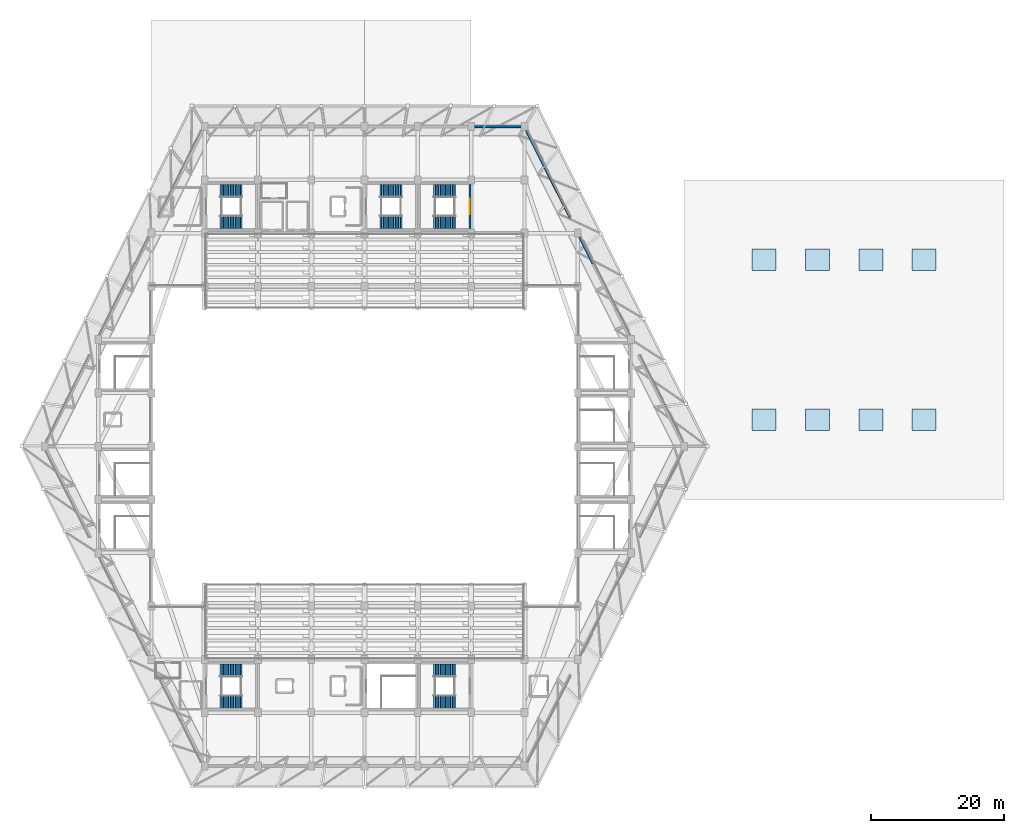
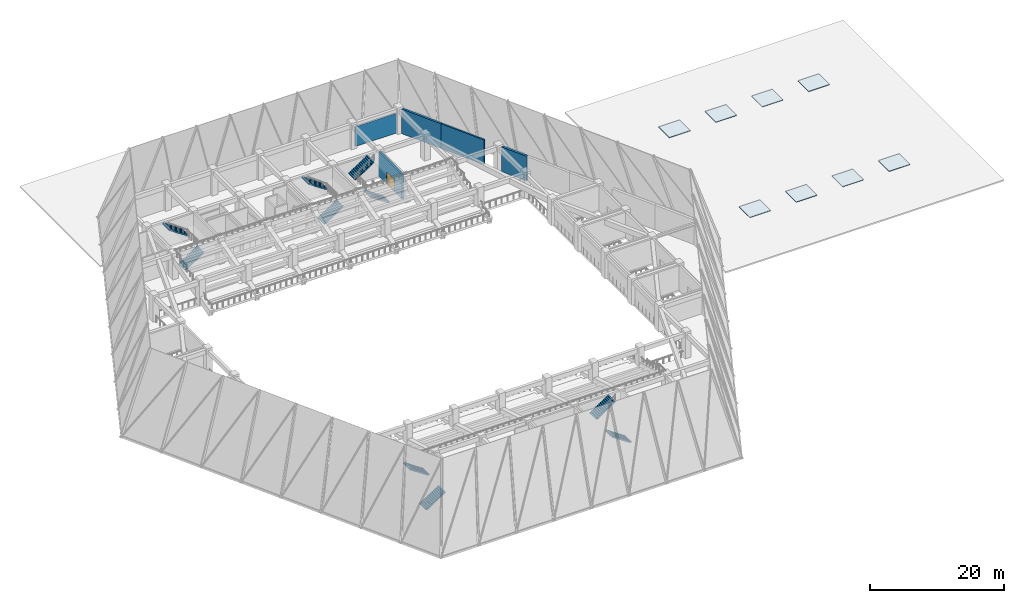
# One storey, part 19 of 24: 10 stair flights, 8 roofs, 5 walls, 1 door, 1 opening, 5 elements without a shape of their own.
"""IFC4 building model written with IfcOpenShell, lengths in metres."""

from ifc_helpers import new_model, si_unit, direction, frame, frame_2d, origin, origin_2d, place, context, subcontext, project, spatial, polyline, rectangle, outline, extrude, material, layer, layer_set, type_object, element, fill, aggregate, save


model = new_model("IFC4")

# Units and contexts
model_context = context("Model", 3, precision=1e-05, world=origin(), true_north=direction((0.0, 1.0)))
body_context = subcontext(model_context, "Body", "Model", "MODEL_VIEW")
ifc_project = project(units=[si_unit("LENGTHUNIT", "METRE"), si_unit("AREAUNIT", "SQUARE_METRE"), si_unit("VOLUMEUNIT", "CUBIC_METRE"), si_unit("PLANEANGLEUNIT", "RADIAN"), si_unit("MASSUNIT", "GRAM", prefix="KILO")], contexts=[model_context])

# Site, building, storey
site_placement = place(None, origin())
site = spatial("IfcSite", under=ifc_project, at=site_placement, CompositionType="ELEMENT")
building_placement = place(site_placement, origin())
building = spatial("IfcBuilding", under=site, at=building_placement, Name="Tazarka Park Arena", CompositionType="ELEMENT")
storey_placement = place(building_placement, frame((0.0, 0.0, 15.0)))
storey = spatial("IfcBuildingStorey", under=building, at=storey_placement, Name="L03", CompositionType="ELEMENT", Elevation=15.0)

# Wall, opening, door
ifc_material_1 = material(Name="Concrete C40/50", Category="concrete")
ifc_layer_1 = layer(ifc_material_1, 0.300048828125, Name="Concrete C40/50")
ifc_layer_set_1 = layer_set([ifc_layer_1], Name="Concrete C40/50")
wall_type_1 = type_object("IfcWallType", Name="IWAL-CW-S1", PredefinedType="SHEAR", material=ifc_layer_set_1)
wall_1_placement = place(storey_placement, frame((103.800048828125, 103.5, 0.0), z_axis=(0.0, 0.0, 1.0), x_axis=(0.0, -1.0, 0.0)))
wall_1 = element("IfcWall", 1, at=wall_1_placement, inside=storey, type_object=wall_type_1, Name="SCW-L03-ST10-E", PredefinedType="SHEAR", context=body_context, shape_type="SweptSolid", body=[
    extrude(rectangle(XDim=7.0, YDim=0.300048828125, at=frame_2d((3.5, 0.0))), origin(), (0.0, 0.0, 1.0), 4.5),
])
opening_placement = place(wall_1_placement, frame((2.300048828125, 0.0, 0.0)))
opening = element("IfcOpeningElement", 2, at=opening_placement, cuts=wall_1, Name="Opening ID-05", PredefinedType="OPENING", context=body_context, shape_type="SweptSolid", body=[
    extrude(rectangle(XDim=2.39990234375, YDim=2.199951171875, at=frame_2d((1.199951171875, 1.10009765625))), frame((0.0, 0.16015625, 0.0), z_axis=(0.0, -1.0, 0.0), x_axis=(1.0, 0.0, 0.0)), (0.0, 0.0, 1.0), 0.320068359375),
])
ifc_material_2 = material(Name="Fire-rated powder-coated steel and acoustic timber", Category="steel")
door_type = type_object("IfcDoorType", Name="IDR-ID-05", OperationType="NOTDEFINED", PredefinedType="DOOR", material=ifc_material_2)
door_placement = place(opening_placement, frame((2.39990234375, 0.0, 0.0), z_axis=(0.0, 0.0, 1.0), x_axis=(-1.0, 0.0, 0.0)))
door = element("IfcDoor", 3, at=door_placement, inside=storey, type_object=door_type, Name="Exit Stair Door ST10-L03", OperationType="DOUBLE_DOOR_SINGLE_SWING", OverallHeight=2.199951171875, OverallWidth=2.39990234375, PredefinedType="DOOR", context=body_context, shape_type="SweptSolid", body=[
    extrude(rectangle(XDim=2.39990234375, YDim=2.199951171875, at=frame_2d((1.199951171875, 1.10009765625))), frame((0.0, 0.02490234375, 0.0), z_axis=(0.0, -1.0, 0.0), x_axis=(1.0, 0.0, 0.0)), (0.0, 0.0, 1.0), 0.050048828125),
])
fill(opening, door)

# Walls
ifc_material_3 = material(Name="Precast concrete C40/50", Category="concrete")
ifc_layer_2 = layer(ifc_material_3, 0.280029296875, Name="Precast concrete C40/50")
ifc_layer_set_2 = layer_set([ifc_layer_2], Name="Precast concrete C40/50")
wall_type_2 = type_object("IfcWallType", Name="WAL-EW-06", PredefinedType="SOLIDWALL", material=ifc_layer_set_2)
wall_2_placement = place(storey_placement, frame((104.47998046875, 112.0, 0.0), z_axis=(0.0, 0.0, 1.0), x_axis=(1.0, 0.0, 0.0)))
element("IfcWall", 4, at=wall_2_placement, inside=storey, type_object=wall_type_2, Name="EW-L03-0309", PredefinedType="SOLIDWALL", context=body_context, shape_type="SweptSolid", body=[
    extrude(rectangle(XDim=7.0400390625, YDim=0.280029296875, at=frame_2d((3.52001953125, 0.0))), origin(), (0.0, 0.0, 1.0), 3.60009765625),
])
ifc_material_4 = material(Name="Concrete C40/50", Category="concrete")
ifc_layer_3 = layer(ifc_material_4, 0.35009765625, Name="Concrete C40/50")
ifc_layer_set_3 = layer_set([ifc_layer_3], Name="Concrete C40/50")
wall_type_3 = type_object("IfcWallType", Name="WAL-EW-10", PredefinedType="SOLIDWALL", material=ifc_layer_set_3)
wall_3_placement = place(storey_placement, frame((112.2900390625, 111.419921875, 0.0), z_axis=(0.0, 0.0, 1.0), x_axis=(0.447227510427, -0.894420233401, 0.0)))
element("IfcWall", 5, at=wall_3_placement, inside=storey, type_object=wall_type_3, Name="EW-L03-0297", PredefinedType="SOLIDWALL", context=body_context, shape_type="SweptSolid", body=[
    extrude(rectangle(XDim=7.01806640625, YDim=0.35009765625, at=frame_2d((3.509033203125, 0.0))), origin(), (0.0, 0.0, 1.0), 4.5),
])
ifc_material_5 = material(Name="Precast concrete C40/50", Category="concrete")
ifc_layer_4 = layer(ifc_material_5, 0.27001953125, Name="Precast concrete C40/50")
ifc_layer_set_4 = layer_set([ifc_layer_4], Name="Precast concrete C40/50")
wall_type_4 = type_object("IfcWallType", Name="WAL-EW-11", PredefinedType="SOLIDWALL", material=ifc_layer_set_4)
wall_4_placement = place(storey_placement, frame((115.4287109375, 105.142822265625, 0.0), z_axis=(0.0, 0.0, 1.0), x_axis=(0.447200857411, -0.894433559931, 0.0)))
element("IfcWall", 6, at=wall_4_placement, inside=storey, type_object=wall_type_4, Name="EW-L03-0298", PredefinedType="SOLIDWALL", context=body_context, shape_type="SweptSolid", body=[
    extrude(rectangle(XDim=7.66650390625, YDim=0.27001953125, at=frame_2d((3.833251953125, 0.0))), origin(), (0.0, 0.0, 1.0), 4.5),
])
ifc_material_6 = material(Name="Concrete C40/50", Category="concrete")
ifc_layer_5 = layer(ifc_material_6, 0.3701171875, Name="Concrete C40/50")
ifc_layer_set_5 = layer_set([ifc_layer_5], Name="Concrete C40/50")
wall_type_5 = type_object("IfcWallType", Name="WAL-EW-12", PredefinedType="SOLIDWALL", material=ifc_layer_set_5)
wall_5_placement = place(storey_placement, frame((120.2900390625, 95.419921875, 0.0), z_axis=(0.0, 0.0, 1.0), x_axis=(0.4472135955, -0.894427191, 0.0)))
element("IfcWall", 7, at=wall_5_placement, inside=storey, type_object=wall_type_5, Name="EW-L03-0299", PredefinedType="SOLIDWALL", context=body_context, shape_type="SweptSolid", body=[
    extrude(rectangle(XDim=4.46240234375, YDim=0.3701171875, at=frame_2d((2.231201171875, 0.0))), origin(), (0.0, 0.0, 1.0), 4.5),
])

# Stair, stair flights
ifc_material_7 = material(Name="Precast concrete C40/50", Category="concrete")
stair_type = type_object("IfcStairType", Name="STR-2400", PredefinedType="HALF_TURN_STAIR", material=ifc_material_7)
stair_1_placement = place(storey_placement, origin())
stair_1 = element("IfcStair", 8, at=stair_1_placement, inside=storey, type_object=stair_type, Name="Stair ST09 L03", PredefinedType="HALF_TURN_STAIR")
ifc_material_8 = material(Name="Precast concrete C40/50", Category="concrete")
stair_flight_type = type_object("IfcStairFlightType", Name="FLT-1350", PredefinedType="STRAIGHT", material=ifc_material_8)
stair_flight_1_placement = place(storey_placement, frame((66.31494140625, 25.6298828125, 0.0), z_axis=(0.0, 0.0, 1.0), x_axis=(1.0, 0.0, 0.0)))
stair_flight_1 = element("IfcStairFlight", 9, at=stair_flight_1_placement, type_object=stair_flight_type, Name="ST09-L03 flight 1", NumberOfRisers=14, NumberOfTreads=13, PredefinedType="STRAIGHT", RiserHeight=0.171429, TreadLength=0.255, context=body_context, shape_type="SweptSolid", body=[
    extrude(outline(polyline([(0.0, 0.0), (0.0, 0.17138671875), (0.2548828125, 0.17138671875), (0.2548828125, 0.3427734375), (0.510009765625, 0.3427734375), (0.510009765625, 0.514404296875), (0.764892578125, 0.514404296875), (0.764892578125, 0.685791015625), (1.02001953125, 0.685791015625), (1.02001953125, 0.857177734375), (1.27490234375, 0.857177734375), (1.27490234375, 1.028564453125), (1.530029296875, 1.028564453125), (1.530029296875, 1.199951171875), (1.784912109375, 1.199951171875), (1.784912109375, 1.371337890625), (2.0400390625, 1.371337890625), (2.0400390625, 1.54296875), (2.294921875, 1.54296875), (2.294921875, 1.71435546875), (2.550048828125, 1.71435546875), (2.550048828125, 1.8857421875), (2.804931640625, 1.8857421875), (2.804931640625, 2.05712890625), (3.06005859375, 2.05712890625), (3.06005859375, 2.228515625), (3.31494140625, 2.228515625), (3.31494140625, 2.39990234375), (3.31494140625, 2.01171875), (0.322509765625, 0.0), (0.0, 0.0)])), frame((0.0, 0.969970703125, 0.0), z_axis=(0.0, -1.0, 0.0), x_axis=(1.0, 0.0, 0.0)), (0.0, 0.0, 1.0), 1.93994140625),
])
stair_flight_2_placement = place(storey_placement, frame((69.6298828125, 30.3701171875, 2.39990234375), z_axis=(0.0, 0.0, 1.0), x_axis=(-1.0, 0.0, 0.0)))
stair_flight_2 = element("IfcStairFlight", 10, at=stair_flight_2_placement, type_object=stair_flight_type, Name="ST09-L03 flight 2", NumberOfRisers=14, NumberOfTreads=13, PredefinedType="STRAIGHT", RiserHeight=0.171429, TreadLength=0.255, context=body_context, shape_type="SweptSolid", body=[
    extrude(outline(polyline([(0.0, 0.0), (0.0, 0.17138671875), (0.2548828125, 0.17138671875), (0.2548828125, 0.3427734375), (0.510009765625, 0.3427734375), (0.510009765625, 0.514404296875), (0.764892578125, 0.514404296875), (0.764892578125, 0.685791015625), (1.02001953125, 0.685791015625), (1.02001953125, 0.857177734375), (1.27490234375, 0.857177734375), (1.27490234375, 1.028564453125), (1.530029296875, 1.028564453125), (1.530029296875, 1.199951171875), (1.784912109375, 1.199951171875), (1.784912109375, 1.371337890625), (2.0400390625, 1.371337890625), (2.0400390625, 1.54296875), (2.294921875, 1.54296875), (2.294921875, 1.71435546875), (2.550048828125, 1.71435546875), (2.550048828125, 1.8857421875), (2.804931640625, 1.8857421875), (2.804931640625, 2.05712890625), (3.06005859375, 2.05712890625), (3.06005859375, 2.228515625), (3.31494140625, 2.228515625), (3.31494140625, 2.39990234375), (3.31494140625, 2.01171875), (0.322509765625, 0.0), (0.0, 0.0)])), frame((0.0, 0.969970703125, 0.0), z_axis=(0.0, -1.0, 0.0), x_axis=(1.0, 0.0, 0.0)), (0.0, 0.0, 1.0), 1.93994140625),
])
aggregate(stair_1, [stair_flight_1, stair_flight_2])

stair_2_placement = place(storey_placement, origin())
stair_2 = element("IfcStair", 11, at=stair_2_placement, inside=storey, type_object=stair_type, Name="Stair ST10 L03", PredefinedType="HALF_TURN_STAIR")
stair_flight_3_placement = place(storey_placement, frame((101.68505859375, 97.6298828125, 0.0), z_axis=(0.0, 0.0, 1.0), x_axis=(-1.0, 0.0, 0.0)))
stair_flight_3 = element("IfcStairFlight", 12, at=stair_flight_3_placement, type_object=stair_flight_type, Name="ST10-L03 flight 1", NumberOfRisers=14, NumberOfTreads=13, PredefinedType="STRAIGHT", RiserHeight=0.171429, TreadLength=0.255, context=body_context, shape_type="SweptSolid", body=[
    extrude(outline(polyline([(0.0, 0.0), (0.0, 0.17138671875), (0.2548828125, 0.17138671875), (0.2548828125, 0.3427734375), (0.510009765625, 0.3427734375), (0.510009765625, 0.514404296875), (0.764892578125, 0.514404296875), (0.764892578125, 0.685791015625), (1.02001953125, 0.685791015625), (1.02001953125, 0.857177734375), (1.27490234375, 0.857177734375), (1.27490234375, 1.028564453125), (1.530029296875, 1.028564453125), (1.530029296875, 1.199951171875), (1.784912109375, 1.199951171875), (1.784912109375, 1.371337890625), (2.0400390625, 1.371337890625), (2.0400390625, 1.54296875), (2.294921875, 1.54296875), (2.294921875, 1.71435546875), (2.550048828125, 1.71435546875), (2.550048828125, 1.8857421875), (2.804931640625, 1.8857421875), (2.804931640625, 2.05712890625), (3.06005859375, 2.05712890625), (3.06005859375, 2.228515625), (3.31494140625, 2.228515625), (3.31494140625, 2.39990234375), (3.31494140625, 2.01171875), (0.322509765625, 0.0), (0.0, 0.0)])), frame((0.0, 0.969970703125, 0.0), z_axis=(0.0, -1.0, 0.0), x_axis=(1.0, 0.0, 0.0)), (0.0, 0.0, 1.0), 1.93994140625),
])
stair_flight_4_placement = place(storey_placement, frame((98.3701171875, 102.3701171875, 2.39990234375), z_axis=(0.0, 0.0, 1.0), x_axis=(1.0, 0.0, 0.0)))
stair_flight_4 = element("IfcStairFlight", 13, at=stair_flight_4_placement, type_object=stair_flight_type, Name="ST10-L03 flight 2", NumberOfRisers=14, NumberOfTreads=13, PredefinedType="STRAIGHT", RiserHeight=0.171429, TreadLength=0.255, context=body_context, shape_type="SweptSolid", body=[
    extrude(outline(polyline([(0.0, 0.0), (0.0, 0.17138671875), (0.2548828125, 0.17138671875), (0.2548828125, 0.3427734375), (0.510009765625, 0.3427734375), (0.510009765625, 0.514404296875), (0.764892578125, 0.514404296875), (0.764892578125, 0.685791015625), (1.02001953125, 0.685791015625), (1.02001953125, 0.857177734375), (1.27490234375, 0.857177734375), (1.27490234375, 1.028564453125), (1.530029296875, 1.028564453125), (1.530029296875, 1.199951171875), (1.784912109375, 1.199951171875), (1.784912109375, 1.371337890625), (2.0400390625, 1.371337890625), (2.0400390625, 1.54296875), (2.294921875, 1.54296875), (2.294921875, 1.71435546875), (2.550048828125, 1.71435546875), (2.550048828125, 1.8857421875), (2.804931640625, 1.8857421875), (2.804931640625, 2.05712890625), (3.06005859375, 2.05712890625), (3.06005859375, 2.228515625), (3.31494140625, 2.228515625), (3.31494140625, 2.39990234375), (3.31494140625, 2.01171875), (0.322509765625, 0.0), (0.0, 0.0)])), frame((0.0, 0.969970703125, 0.0), z_axis=(0.0, -1.0, 0.0), x_axis=(1.0, 0.0, 0.0)), (0.0, 0.0, 1.0), 1.93994140625),
])
aggregate(stair_2, [stair_flight_3, stair_flight_4])

stair_3_placement = place(storey_placement, origin())
stair_3 = element("IfcStair", 14, at=stair_3_placement, inside=storey, type_object=stair_type, Name="Stair ST11 L03", PredefinedType="HALF_TURN_STAIR")
stair_flight_5_placement = place(storey_placement, frame((101.68505859375, 25.6298828125, 0.0), z_axis=(0.0, 0.0, 1.0), x_axis=(-1.0, 0.0, 0.0)))
stair_flight_5 = element("IfcStairFlight", 15, at=stair_flight_5_placement, type_object=stair_flight_type, Name="ST11-L03 flight 1", NumberOfRisers=14, NumberOfTreads=13, PredefinedType="STRAIGHT", RiserHeight=0.171429, TreadLength=0.255, context=body_context, shape_type="SweptSolid", body=[
    extrude(outline(polyline([(0.0, 0.0), (0.0, 0.17138671875), (0.2548828125, 0.17138671875), (0.2548828125, 0.3427734375), (0.510009765625, 0.3427734375), (0.510009765625, 0.514404296875), (0.764892578125, 0.514404296875), (0.764892578125, 0.685791015625), (1.02001953125, 0.685791015625), (1.02001953125, 0.857177734375), (1.27490234375, 0.857177734375), (1.27490234375, 1.028564453125), (1.530029296875, 1.028564453125), (1.530029296875, 1.199951171875), (1.784912109375, 1.199951171875), (1.784912109375, 1.371337890625), (2.0400390625, 1.371337890625), (2.0400390625, 1.54296875), (2.294921875, 1.54296875), (2.294921875, 1.71435546875), (2.550048828125, 1.71435546875), (2.550048828125, 1.8857421875), (2.804931640625, 1.8857421875), (2.804931640625, 2.05712890625), (3.06005859375, 2.05712890625), (3.06005859375, 2.228515625), (3.31494140625, 2.228515625), (3.31494140625, 2.39990234375), (3.31494140625, 2.01171875), (0.322509765625, 0.0), (0.0, 0.0)])), frame((0.0, 0.969970703125, 0.0), z_axis=(0.0, -1.0, 0.0), x_axis=(1.0, 0.0, 0.0)), (0.0, 0.0, 1.0), 1.93994140625),
])
stair_flight_6_placement = place(storey_placement, frame((98.3701171875, 30.3701171875, 2.39990234375), z_axis=(0.0, 0.0, 1.0), x_axis=(1.0, 0.0, 0.0)))
stair_flight_6 = element("IfcStairFlight", 16, at=stair_flight_6_placement, type_object=stair_flight_type, Name="ST11-L03 flight 2", NumberOfRisers=14, NumberOfTreads=13, PredefinedType="STRAIGHT", RiserHeight=0.171429, TreadLength=0.255, context=body_context, shape_type="SweptSolid", body=[
    extrude(outline(polyline([(0.0, 0.0), (0.0, 0.17138671875), (0.2548828125, 0.17138671875), (0.2548828125, 0.3427734375), (0.510009765625, 0.3427734375), (0.510009765625, 0.514404296875), (0.764892578125, 0.514404296875), (0.764892578125, 0.685791015625), (1.02001953125, 0.685791015625), (1.02001953125, 0.857177734375), (1.27490234375, 0.857177734375), (1.27490234375, 1.028564453125), (1.530029296875, 1.028564453125), (1.530029296875, 1.199951171875), (1.784912109375, 1.199951171875), (1.784912109375, 1.371337890625), (2.0400390625, 1.371337890625), (2.0400390625, 1.54296875), (2.294921875, 1.54296875), (2.294921875, 1.71435546875), (2.550048828125, 1.71435546875), (2.550048828125, 1.8857421875), (2.804931640625, 1.8857421875), (2.804931640625, 2.05712890625), (3.06005859375, 2.05712890625), (3.06005859375, 2.228515625), (3.31494140625, 2.228515625), (3.31494140625, 2.39990234375), (3.31494140625, 2.01171875), (0.322509765625, 0.0), (0.0, 0.0)])), frame((0.0, 0.969970703125, 0.0), z_axis=(0.0, -1.0, 0.0), x_axis=(1.0, 0.0, 0.0)), (0.0, 0.0, 1.0), 1.93994140625),
])
aggregate(stair_3, [stair_flight_5, stair_flight_6])

stair_4_placement = place(storey_placement, origin())
stair_4 = element("IfcStair", 17, at=stair_4_placement, inside=storey, type_object=stair_type, Name="Stair ST14 L03", PredefinedType="HALF_TURN_STAIR")
stair_flight_7_placement = place(storey_placement, frame((66.31494140625, 97.6298828125, 0.0), z_axis=(0.0, 0.0, 1.0), x_axis=(1.0, 0.0, 0.0)))
stair_flight_7 = element("IfcStairFlight", 18, at=stair_flight_7_placement, type_object=stair_flight_type, Name="ST14-L03 flight 1", NumberOfRisers=14, NumberOfTreads=13, PredefinedType="STRAIGHT", RiserHeight=0.171429, TreadLength=0.255, context=body_context, shape_type="SweptSolid", body=[
    extrude(outline(polyline([(0.0, 0.0), (0.0, 0.17138671875), (0.2548828125, 0.17138671875), (0.2548828125, 0.3427734375), (0.510009765625, 0.3427734375), (0.510009765625, 0.514404296875), (0.764892578125, 0.514404296875), (0.764892578125, 0.685791015625), (1.02001953125, 0.685791015625), (1.02001953125, 0.857177734375), (1.27490234375, 0.857177734375), (1.27490234375, 1.028564453125), (1.530029296875, 1.028564453125), (1.530029296875, 1.199951171875), (1.784912109375, 1.199951171875), (1.784912109375, 1.371337890625), (2.0400390625, 1.371337890625), (2.0400390625, 1.54296875), (2.294921875, 1.54296875), (2.294921875, 1.71435546875), (2.550048828125, 1.71435546875), (2.550048828125, 1.8857421875), (2.804931640625, 1.8857421875), (2.804931640625, 2.05712890625), (3.06005859375, 2.05712890625), (3.06005859375, 2.228515625), (3.31494140625, 2.228515625), (3.31494140625, 2.39990234375), (3.31494140625, 2.01171875), (0.322509765625, 0.0), (0.0, 0.0)])), frame((0.0, 0.969970703125, 0.0), z_axis=(0.0, -1.0, 0.0), x_axis=(1.0, 0.0, 0.0)), (0.0, 0.0, 1.0), 1.93994140625),
])
stair_flight_8_placement = place(storey_placement, frame((69.6298828125, 102.3701171875, 2.39990234375), z_axis=(0.0, 0.0, 1.0), x_axis=(-1.0, 0.0, 0.0)))
stair_flight_8 = element("IfcStairFlight", 19, at=stair_flight_8_placement, type_object=stair_flight_type, Name="ST14-L03 flight 2", NumberOfRisers=14, NumberOfTreads=13, PredefinedType="STRAIGHT", RiserHeight=0.171429, TreadLength=0.255, context=body_context, shape_type="SweptSolid", body=[
    extrude(outline(polyline([(0.0, 0.0), (0.0, 0.17138671875), (0.2548828125, 0.17138671875), (0.2548828125, 0.3427734375), (0.510009765625, 0.3427734375), (0.510009765625, 0.514404296875), (0.764892578125, 0.514404296875), (0.764892578125, 0.685791015625), (1.02001953125, 0.685791015625), (1.02001953125, 0.857177734375), (1.27490234375, 0.857177734375), (1.27490234375, 1.028564453125), (1.530029296875, 1.028564453125), (1.530029296875, 1.199951171875), (1.784912109375, 1.199951171875), (1.784912109375, 1.371337890625), (2.0400390625, 1.371337890625), (2.0400390625, 1.54296875), (2.294921875, 1.54296875), (2.294921875, 1.71435546875), (2.550048828125, 1.71435546875), (2.550048828125, 1.8857421875), (2.804931640625, 1.8857421875), (2.804931640625, 2.05712890625), (3.06005859375, 2.05712890625), (3.06005859375, 2.228515625), (3.31494140625, 2.228515625), (3.31494140625, 2.39990234375), (3.31494140625, 2.01171875), (0.322509765625, 0.0), (0.0, 0.0)])), frame((0.0, 0.969970703125, 0.0), z_axis=(0.0, -1.0, 0.0), x_axis=(1.0, 0.0, 0.0)), (0.0, 0.0, 1.0), 1.93994140625),
])
aggregate(stair_4, [stair_flight_7, stair_flight_8])

stair_5_placement = place(storey_placement, origin())
stair_5 = element("IfcStair", 20, at=stair_5_placement, inside=storey, type_object=stair_type, Name="Stair ST15 L03", PredefinedType="HALF_TURN_STAIR")
stair_flight_9_placement = place(storey_placement, frame((90.31494140625, 97.6298828125, 0.0), z_axis=(0.0, 0.0, 1.0), x_axis=(1.0, 0.0, 0.0)))
stair_flight_9 = element("IfcStairFlight", 21, at=stair_flight_9_placement, type_object=stair_flight_type, Name="ST15-L03 flight 1", NumberOfRisers=14, NumberOfTreads=13, PredefinedType="STRAIGHT", RiserHeight=0.171429, TreadLength=0.255, context=body_context, shape_type="SweptSolid", body=[
    extrude(outline(polyline([(0.0, 0.0), (0.0, 0.17138671875), (0.2548828125, 0.17138671875), (0.2548828125, 0.3427734375), (0.510009765625, 0.3427734375), (0.510009765625, 0.514404296875), (0.764892578125, 0.514404296875), (0.764892578125, 0.685791015625), (1.02001953125, 0.685791015625), (1.02001953125, 0.857177734375), (1.27490234375, 0.857177734375), (1.27490234375, 1.028564453125), (1.530029296875, 1.028564453125), (1.530029296875, 1.199951171875), (1.784912109375, 1.199951171875), (1.784912109375, 1.371337890625), (2.0400390625, 1.371337890625), (2.0400390625, 1.54296875), (2.294921875, 1.54296875), (2.294921875, 1.71435546875), (2.550048828125, 1.71435546875), (2.550048828125, 1.8857421875), (2.804931640625, 1.8857421875), (2.804931640625, 2.05712890625), (3.06005859375, 2.05712890625), (3.06005859375, 2.228515625), (3.31494140625, 2.228515625), (3.31494140625, 2.39990234375), (3.31494140625, 2.01171875), (0.322509765625, 0.0), (0.0, 0.0)])), frame((0.0, 0.969970703125, 0.0), z_axis=(0.0, -1.0, 0.0), x_axis=(1.0, 0.0, 0.0)), (0.0, 0.0, 1.0), 1.93994140625),
])
stair_flight_10_placement = place(storey_placement, frame((93.6298828125, 102.3701171875, 2.39990234375), z_axis=(0.0, 0.0, 1.0), x_axis=(-1.0, 0.0, 0.0)))
stair_flight_10 = element("IfcStairFlight", 22, at=stair_flight_10_placement, type_object=stair_flight_type, Name="ST15-L03 flight 2", NumberOfRisers=14, NumberOfTreads=13, PredefinedType="STRAIGHT", RiserHeight=0.171429, TreadLength=0.255, context=body_context, shape_type="SweptSolid", body=[
    extrude(outline(polyline([(0.0, 0.0), (0.0, 0.17138671875), (0.2548828125, 0.17138671875), (0.2548828125, 0.3427734375), (0.510009765625, 0.3427734375), (0.510009765625, 0.514404296875), (0.764892578125, 0.514404296875), (0.764892578125, 0.685791015625), (1.02001953125, 0.685791015625), (1.02001953125, 0.857177734375), (1.27490234375, 0.857177734375), (1.27490234375, 1.028564453125), (1.530029296875, 1.028564453125), (1.530029296875, 1.199951171875), (1.784912109375, 1.199951171875), (1.784912109375, 1.371337890625), (2.0400390625, 1.371337890625), (2.0400390625, 1.54296875), (2.294921875, 1.54296875), (2.294921875, 1.71435546875), (2.550048828125, 1.71435546875), (2.550048828125, 1.8857421875), (2.804931640625, 1.8857421875), (2.804931640625, 2.05712890625), (3.06005859375, 2.05712890625), (3.06005859375, 2.228515625), (3.31494140625, 2.228515625), (3.31494140625, 2.39990234375), (3.31494140625, 2.01171875), (0.322509765625, 0.0), (0.0, 0.0)])), frame((0.0, 0.969970703125, 0.0), z_axis=(0.0, -1.0, 0.0), x_axis=(1.0, 0.0, 0.0)), (0.0, 0.0, 1.0), 1.93994140625),
])
aggregate(stair_5, [stair_flight_9, stair_flight_10])

# Roofs
ifc_material_9 = material(Name="Standing-seam acoustic aluminium roof crown", Category="aluminium")
ifc_layer_6 = layer(ifc_material_9, 0.080078125, Name="Standing-seam acoustic aluminium roof crown")
ifc_layer_set_6 = layer_set([ifc_layer_6], Name="Standing-seam acoustic aluminium roof crown")
roof_type = type_object("IfcRoofType", Name="ROF-01", PredefinedType="FREEFORM", material=ifc_layer_set_6)
for number, where, z_axis, x_axis, name in (
    (23, (148.0, 68.0, -0.010009765625), (0.0, 0.0, 1.0), (1.0, 0.0, 0.0), "Warm-Up Hall Acoustic Roof Cap 01"),
    (24, (148.0, 92.0, -0.010009765625), (0.0, 0.0, 1.0), (1.0, 0.0, 0.0), "Warm-Up Hall Acoustic Roof Cap 02"),
    (25, (156.0, 68.0, -0.010009765625), (0.0, 0.0, 1.0), (1.0, 0.0, 0.0), "Warm-Up Hall Acoustic Roof Cap 03"),
    (26, (156.0, 92.0, -0.010009765625), (0.0, 0.0, 1.0), (1.0, 0.0, 0.0), "Warm-Up Hall Acoustic Roof Cap 04"),
    (27, (164.0, 68.0, -0.010009765625), (0.0, 0.0, 1.0), (1.0, 0.0, 0.0), "Warm-Up Hall Acoustic Roof Cap 05"),
    (28, (164.0, 92.0, -0.010009765625), (0.0, 0.0, 1.0), (1.0, 0.0, 0.0), "Warm-Up Hall Acoustic Roof Cap 06"),
    (29, (172.0, 68.0, -0.010009765625), (0.0, 0.0, 1.0), (1.0, 0.0, 0.0), "Warm-Up Hall Acoustic Roof Cap 07"),
    (30, (172.0, 92.0, -0.010009765625), (0.0, 0.0, 1.0), (1.0, 0.0, 0.0), "Warm-Up Hall Acoustic Roof Cap 08"),
):
    element("IfcRoof", number, at=place(storey_placement, frame(where, z_axis=z_axis, x_axis=x_axis)), inside=storey, type_object=roof_type, Name=name, PredefinedType="FREEFORM", context=body_context, shape_type="SweptSolid", body=[
        extrude(rectangle(XDim=3.60009765625, YDim=3.199951171875, at=origin_2d()), origin(), (0.0, 0.0, 1.0), 0.080078125),
    ])

save(model, "model.ifc")
